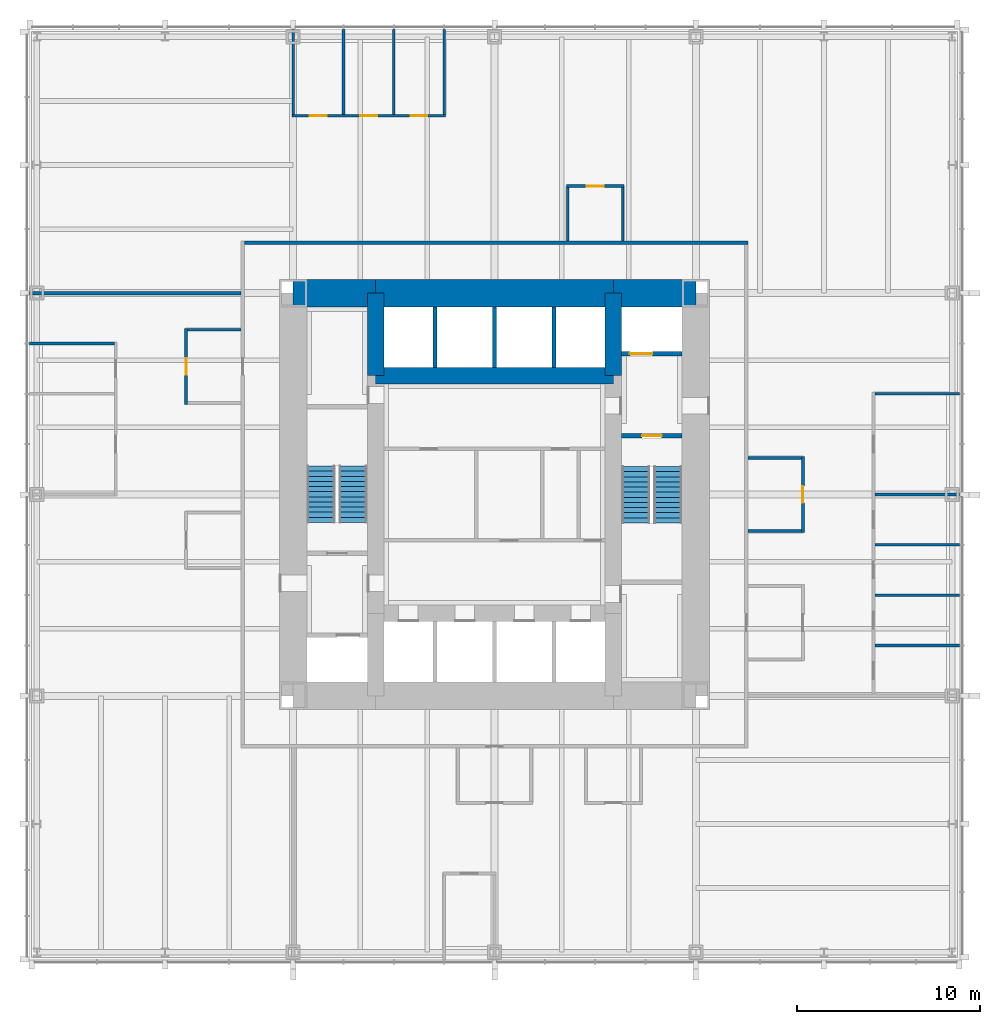
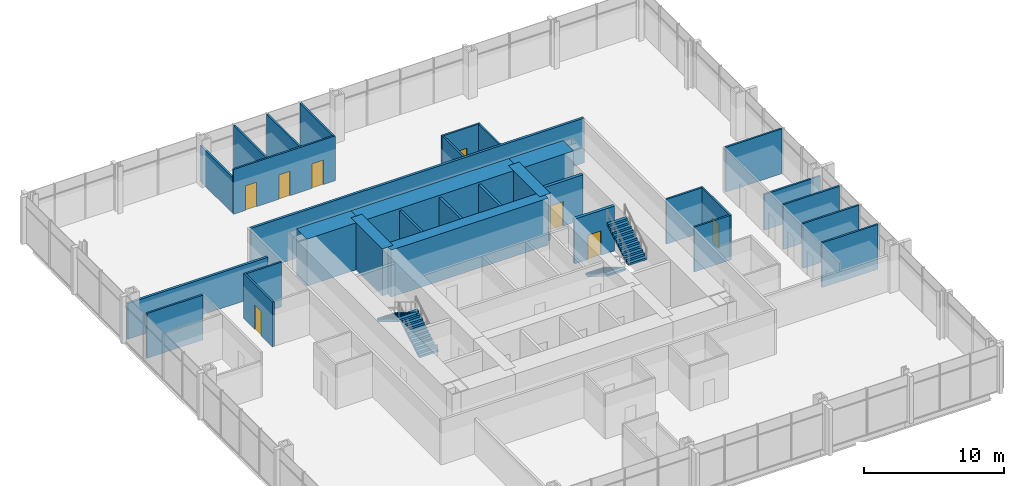
# One storey, part 11 of 12: 32 walls, 8 doors, 4 stair flights, 8 openings, 2 elements without a shape of their own.
"""IFC4 building model written with IfcOpenShell, lengths in metres."""

from ifc_helpers import new_model, si_unit, direction, frame, frame_2d, origin, place, context, subcontext, project, spatial, polyline, rectangle, outline, extrude, material, layer, layer_set, type_object, element, fill, aggregate, save


model = new_model("IFC4")

# Units and contexts
model_context = context("Model", 3, precision=1e-05, world=origin(), true_north=direction((0.0, 1.0)))
body_context = subcontext(model_context, "Body", "Model", "MODEL_VIEW")
ifc_project = project(units=[si_unit("LENGTHUNIT", "METRE"), si_unit("AREAUNIT", "SQUARE_METRE"), si_unit("VOLUMEUNIT", "CUBIC_METRE"), si_unit("PLANEANGLEUNIT", "RADIAN"), si_unit("MASSUNIT", "GRAM", prefix="KILO")], contexts=[model_context])

# Site, building, storey
site_placement = place(None, origin())
site = spatial("IfcSite", under=ifc_project, at=site_placement, CompositionType="ELEMENT")
building_placement = place(site_placement, origin())
building = spatial("IfcBuilding", under=site, at=building_placement, Name="Trevanion Tower", CompositionType="ELEMENT")
storey_placement = place(building_placement, frame((0.0, 0.0, 40.60009765625)))
storey = spatial("IfcBuildingStorey", under=building, at=storey_placement, Name="L09", CompositionType="ELEMENT", Elevation=40.60009765625)

# Walls
ifc_material_1 = material(Name="Concrete 10,000 psi", Category="concrete")
ifc_layer_1 = layer(ifc_material_1, 1.5)
ifc_layer_set_1 = layer_set([ifc_layer_1], Name="CW1 core wall 1500")
wall_type_1 = type_object("IfcWallType", Name="CW1 core wall 1500", PredefinedType="SHEAR", material=ifc_layer_set_1)
wall_1_placement = place(storey_placement, frame((11.0, 11.0, 0.0), z_axis=(0.0, 0.0, 1.0), x_axis=(-1.0, 0.0, 0.0)))
element("IfcWall", 1, at=wall_1_placement, inside=storey, type_object=wall_type_1, Name="CW1 CN1 L09", PredefinedType="SHEAR", context=body_context, shape_type="SweptSolid", body=[
    extrude(rectangle(XDim=4.5, YDim=1.5, at=frame_2d((2.25, 0.0))), origin(), (0.0, 0.0, 1.0), 4.099853515625),
])
wall_2_placement = place(storey_placement, frame((6.5, 11.0, 0.0), z_axis=(0.0, 0.0, 1.0), x_axis=(-1.0, 0.0, 0.0)))
element("IfcWall", 2, at=wall_2_placement, inside=storey, type_object=wall_type_1, Name="CW1 CN2 L09", PredefinedType="SHEAR", context=body_context, shape_type="SweptSolid", body=[
    extrude(rectangle(XDim=13.0, YDim=1.5, at=frame_2d((6.5, 0.0))), origin(), (0.0, 0.0, 1.0), 4.099853515625),
])
wall_3_placement = place(storey_placement, frame((-6.5, 11.0, 0.0), z_axis=(0.0, 0.0, 1.0), x_axis=(-1.0, 0.0, 0.0)))
element("IfcWall", 3, at=wall_3_placement, inside=storey, type_object=wall_type_1, Name="CW1 CN3 L09", PredefinedType="SHEAR", context=body_context, shape_type="SweptSolid", body=[
    extrude(rectangle(XDim=4.5, YDim=1.5, at=frame_2d((2.25, 0.0))), origin(), (0.0, 0.0, 1.0), 4.099853515625),
])
ifc_material_2 = material(Name="Concrete 10,000 psi", Category="concrete")
ifc_layer_2 = layer(ifc_material_2, 0.89990234375)
ifc_layer_set_2 = layer_set([ifc_layer_2], Name="CW2 core wall 900")
wall_type_2 = type_object("IfcWallType", Name="CW2 core wall 900", PredefinedType="SHEAR", material=ifc_layer_set_2)
for number, where, z_axis, x_axis, name in (
    (4, (6.5, 6.5, 0.0), (0.0, 0.0, 1.0), (0.0, 1.0, 0.0), "CW2 RE3 L09"),
    (5, (-6.5, 11.0, 0.0), (0.0, 0.0, 1.0), (0.0, -1.0, 0.0), "CW2 RW1 L09"),
):
    element("IfcWall", number, at=place(storey_placement, frame(where, z_axis=z_axis, x_axis=x_axis)), inside=storey, type_object=wall_type_2, Name=name, PredefinedType="SHEAR", context=body_context, shape_type="SweptSolid", body=[
        extrude(rectangle(XDim=4.5, YDim=0.89990234375, at=frame_2d((2.25, 0.0))), origin(), (0.0, 0.0, 1.0), 4.099853515625),
    ])
wall_4_placement = place(storey_placement, frame((6.5, 6.5, 0.0), z_axis=(0.0, 0.0, 1.0), x_axis=(-1.0, 0.0, 0.0)))
element("IfcWall", 6, at=wall_4_placement, inside=storey, type_object=wall_type_2, Name="CW2 RN L09", PredefinedType="SHEAR", context=body_context, shape_type="SweptSolid", body=[
    extrude(rectangle(XDim=13.0, YDim=0.89990234375, at=frame_2d((6.5, 0.0))), origin(), (0.0, 0.0, 1.0), 4.099853515625),
])
ifc_material_3 = material(Name="Gypsum board on steel studs", Category="steel")
ifc_layer_3 = layer(ifc_material_3, 0.14990234375)
ifc_layer_set_3 = layer_set([ifc_layer_3], Name="PT1 partition 150")
wall_type_3 = type_object("IfcWallType", Name="PT1 partition 150", PredefinedType="PARTITIONING", material=ifc_layer_set_3)
for number, where, z_axis, x_axis, name in (
    (7, (20.77490234375, -8.25, 0.0), (0.0, 0.0, 1.0), (1.0, 0.0, 0.0), "PT1 L09 FC0S1"),
    (8, (20.77490234375, -5.5, 0.0), (0.0, 0.0, 1.0), (1.0, 0.0, 0.0), "PT1 L09 FC0S2"),
    (9, (20.77490234375, -2.75, 0.0), (0.0, 0.0, 1.0), (1.0, 0.0, 0.0), "PT1 L09 FC0S3"),
):
    element("IfcWall", number, at=place(storey_placement, frame(where, z_axis=z_axis, x_axis=x_axis)), inside=storey, type_object=wall_type_3, Name=name, PredefinedType="PARTITIONING", context=body_context, shape_type="SweptSolid", body=[
        extrude(rectangle(XDim=4.64013671875, YDim=0.14990234375, at=frame_2d((2.320068359375, 0.0))), origin(), (0.0, 0.0, 1.0), 3.909912109375),
    ])
wall_5_placement = place(storey_placement, frame((20.77490234375, 0.0, 0.0), z_axis=(0.0, 0.0, 1.0), x_axis=(1.0, 0.0, 0.0)))
element("IfcWall", 10, at=wall_5_placement, inside=storey, type_object=wall_type_3, Name="PT1 L09 FC0S4", PredefinedType="PARTITIONING", context=body_context, shape_type="SweptSolid", body=[
    extrude(rectangle(XDim=4.64013671875, YDim=0.14990234375, at=frame_2d((2.320068359375, 0.0))), origin(), (0.0, 0.0, 1.0), 3.130126953125),
])
wall_6_placement = place(storey_placement, frame((20.77490234375, 5.5, 0.0), z_axis=(0.0, 0.0, 1.0), x_axis=(1.0, 0.0, 0.0)))
element("IfcWall", 11, at=wall_6_placement, inside=storey, type_object=wall_type_3, Name="PT1 L09 FC0S6", PredefinedType="PARTITIONING", context=body_context, shape_type="SweptSolid", body=[
    extrude(rectangle(XDim=4.64013671875, YDim=0.14990234375, at=frame_2d((2.320068359375, 0.0))), origin(), (0.0, 0.0, 1.0), 3.909912109375),
])

# Wall, openings, doors
wall_7_placement = place(storey_placement, frame((-2.675048828125, 20.699951171875, 0.0), z_axis=(0.0, 0.0, 1.0), x_axis=(-1.0, 0.0, 0.0)))
wall_7 = element("IfcWall", 12, at=wall_7_placement, inside=storey, type_object=wall_type_3, Name="PT1 L09 FC1F", PredefinedType="PARTITIONING", context=body_context, shape_type="SweptSolid", body=[
    extrude(rectangle(XDim=8.39990234375, YDim=0.14990234375, at=frame_2d((4.199951171875, 0.0))), origin(), (0.0, 0.0, 1.0), 3.909912109375),
])
opening_1_placement = place(wall_7_placement, frame((0.992431640625, 0.0, 0.0)))
opening_1 = element("IfcOpeningElement", 13, at=opening_1_placement, cuts=wall_7, Name="Opening 09-024", PredefinedType="OPENING", context=body_context, shape_type="SweptSolid", body=[
    extrude(rectangle(XDim=0.9150390625, YDim=2.134033203125, at=frame_2d((0.45751953125, 1.06689453125))), frame((0.0, 0.0849609375, 0.0), z_axis=(0.0, -1.0, 0.0), x_axis=(1.0, 0.0, 0.0)), (0.0, 0.0, 1.0), 0.169921875),
])
opening_2_placement = place(wall_7_placement, frame((3.742431640625, 0.0, 0.0)))
opening_2 = element("IfcOpeningElement", 14, at=opening_2_placement, cuts=wall_7, Name="Opening 09-025", PredefinedType="OPENING", context=body_context, shape_type="SweptSolid", body=[
    extrude(rectangle(XDim=0.9150390625, YDim=2.134033203125, at=frame_2d((0.45751953125, 1.06689453125))), frame((0.0, 0.0849609375, 0.0), z_axis=(0.0, -1.0, 0.0), x_axis=(1.0, 0.0, 0.0)), (0.0, 0.0, 1.0), 0.169921875),
])
opening_3_placement = place(wall_7_placement, frame((6.492431640625, 0.0, 0.0)))
opening_3 = element("IfcOpeningElement", 15, at=opening_3_placement, cuts=wall_7, Name="Opening 09-026", PredefinedType="OPENING", context=body_context, shape_type="SweptSolid", body=[
    extrude(rectangle(XDim=0.9150390625, YDim=2.134033203125, at=frame_2d((0.45751953125, 1.06689453125))), frame((0.0, 0.0849609375, 0.0), z_axis=(0.0, -1.0, 0.0), x_axis=(1.0, 0.0, 0.0)), (0.0, 0.0, 1.0), 0.169921875),
])
ifc_material_4 = material(Name="Timber veneer, solid core", Category="wood")
door_type_1 = type_object("IfcDoorType", Name="D1 office and meeting room door", OperationType="SINGLE_SWING_LEFT", PredefinedType="DOOR", material=ifc_material_4)
door_1_placement = place(opening_1_placement, origin())
door_1 = element("IfcDoor", 16, at=door_1_placement, inside=storey, type_object=door_type_1, Name="Door 09-024", OperationType="SINGLE_SWING_LEFT", OverallHeight=2.134033203125, OverallWidth=0.9150390625, PredefinedType="DOOR", context=body_context, shape_type="SweptSolid", body=[
    extrude(rectangle(XDim=0.9150390625, YDim=2.134033203125, at=frame_2d((0.45751953125, 1.06689453125))), frame((0.0, 0.02490234375, 0.0), z_axis=(0.0, -1.0, 0.0), x_axis=(1.0, 0.0, 0.0)), (0.0, 0.0, 1.0), 0.050048828125),
])
fill(opening_1, door_1)
door_2_placement = place(opening_2_placement, origin())
door_2 = element("IfcDoor", 17, at=door_2_placement, inside=storey, type_object=door_type_1, Name="Door 09-025", OperationType="SINGLE_SWING_LEFT", OverallHeight=2.134033203125, OverallWidth=0.9150390625, PredefinedType="DOOR", context=body_context, shape_type="SweptSolid", body=[
    extrude(rectangle(XDim=0.9150390625, YDim=2.134033203125, at=frame_2d((0.45751953125, 1.06689453125))), frame((0.0, 0.02490234375, 0.0), z_axis=(0.0, -1.0, 0.0), x_axis=(1.0, 0.0, 0.0)), (0.0, 0.0, 1.0), 0.050048828125),
])
fill(opening_2, door_2)
door_3_placement = place(opening_3_placement, origin())
door_3 = element("IfcDoor", 18, at=door_3_placement, inside=storey, type_object=door_type_1, Name="Door 09-026", OperationType="SINGLE_SWING_LEFT", OverallHeight=2.134033203125, OverallWidth=0.9150390625, PredefinedType="DOOR", context=body_context, shape_type="SweptSolid", body=[
    extrude(rectangle(XDim=0.9150390625, YDim=2.134033203125, at=frame_2d((0.45751953125, 1.06689453125))), frame((0.0, 0.02490234375, 0.0), z_axis=(0.0, -1.0, 0.0), x_axis=(1.0, 0.0, 0.0)), (0.0, 0.0, 1.0), 0.050048828125),
])
fill(opening_3, door_3)

# Walls
for number, where, z_axis, x_axis, name in (
    (19, (-2.75, 20.77490234375, 0.0), (0.0, 0.0, 1.0), (0.0, 1.0, 0.0), "PT1 L09 FC1S0"),
    (20, (-5.5, 20.77490234375, 0.0), (0.0, 0.0, 1.0), (0.0, 1.0, 0.0), "PT1 L09 FC1S1"),
    (21, (-8.25, 20.77490234375, 0.0), (0.0, 0.0, 1.0), (0.0, 1.0, 0.0), "PT1 L09 FC1S2"),
):
    element("IfcWall", number, at=place(storey_placement, frame(where, z_axis=z_axis, x_axis=x_axis)), inside=storey, type_object=wall_type_3, Name=name, PredefinedType="PARTITIONING", context=body_context, shape_type="SweptSolid", body=[
        extrude(rectangle(XDim=4.64013671875, YDim=0.14990234375, at=frame_2d((2.320068359375, 0.0))), origin(), (0.0, 0.0, 1.0), 3.909912109375),
    ])
wall_8_placement = place(storey_placement, frame((-11.0, 20.77490234375, 0.0), z_axis=(0.0, 0.0, 1.0), x_axis=(0.0, 1.0, 0.0)))
element("IfcWall", 22, at=wall_8_placement, inside=storey, type_object=wall_type_3, Name="PT1 L09 FC1S3", PredefinedType="PARTITIONING", context=body_context, shape_type="SweptSolid", body=[
    extrude(rectangle(XDim=4.64013671875, YDim=0.14990234375, at=frame_2d((2.320068359375, 0.0))), origin(), (0.0, 0.0, 1.0), 3.130126953125),
])
wall_9_placement = place(storey_placement, frame((-20.77490234375, 8.25, 0.0), z_axis=(0.0, 0.0, 1.0), x_axis=(-1.0, 0.0, 0.0)))
element("IfcWall", 23, at=wall_9_placement, inside=storey, type_object=wall_type_3, Name="PT1 L09 FC2S0", PredefinedType="PARTITIONING", context=body_context, shape_type="SweptSolid", body=[
    extrude(rectangle(XDim=4.64013671875, YDim=0.14990234375, at=frame_2d((2.320068359375, 0.0))), origin(), (0.0, 0.0, 1.0), 3.909912109375),
])

# Wall, opening, door
wall_10_placement = place(storey_placement, frame((16.85009765625, -2.074951171875, 0.0), z_axis=(0.0, 0.0, 1.0), x_axis=(0.0, 1.0, 0.0)))
wall_10 = element("IfcWall", 24, at=wall_10_placement, inside=storey, type_object=wall_type_3, Name="PT1 L09 IN01F", PredefinedType="PARTITIONING", context=body_context, shape_type="SweptSolid", body=[
    extrude(rectangle(XDim=4.14990234375, YDim=0.14990234375, at=frame_2d((2.074951171875, 0.0))), origin(), (0.0, 0.0, 1.0), 3.909912109375),
])
opening_4_placement = place(wall_10_placement, frame((1.617431640625, 0.0, 0.0)))
opening_4 = element("IfcOpeningElement", 25, at=opening_4_placement, cuts=wall_10, Name="Opening 09-032", PredefinedType="OPENING", context=body_context, shape_type="SweptSolid", body=[
    extrude(rectangle(XDim=0.9150390625, YDim=2.134033203125, at=frame_2d((0.45751953125, 1.06689453125))), frame((0.0, 0.0849609375, 0.0), z_axis=(0.0, -1.0, 0.0), x_axis=(1.0, 0.0, 0.0)), (0.0, 0.0, 1.0), 0.169921875),
])
door_4_placement = place(opening_4_placement, origin())
door_4 = element("IfcDoor", 26, at=door_4_placement, inside=storey, type_object=door_type_1, Name="Door 09-032", OperationType="SINGLE_SWING_LEFT", OverallHeight=2.134033203125, OverallWidth=0.9150390625, PredefinedType="DOOR", context=body_context, shape_type="SweptSolid", body=[
    extrude(rectangle(XDim=0.9150390625, YDim=2.134033203125, at=frame_2d((0.45751953125, 1.06689453125))), frame((0.0, 0.02490234375, 0.0), z_axis=(0.0, -1.0, 0.0), x_axis=(1.0, 0.0, 0.0)), (0.0, 0.0, 1.0), 0.050048828125),
])
fill(opening_4, door_4)

# Walls
for number, where, z_axis, x_axis, name in (
    (27, (16.77490234375, -2.0, 0.0), (0.0, 0.0, 1.0), (-1.0, 0.0, 0.0), "PT1 L09 IN01S0"),
    (28, (16.77490234375, 2.0, 0.0), (0.0, 0.0, 1.0), (-1.0, 0.0, 0.0), "PT1 L09 IN01S1"),
):
    element("IfcWall", number, at=place(storey_placement, frame(where, z_axis=z_axis, x_axis=x_axis)), inside=storey, type_object=wall_type_3, Name=name, PredefinedType="PARTITIONING", context=body_context, shape_type="SweptSolid", body=[
        extrude(rectangle(XDim=2.9248046875, YDim=0.14990234375, at=frame_2d((1.46240234375, 0.0))), origin(), (0.0, 0.0, 1.0), 3.909912109375),
    ])

# Wall, opening, door
wall_11_placement = place(storey_placement, frame((-16.85009765625, 9.074951171875, 0.0), z_axis=(0.0, 0.0, 1.0), x_axis=(0.0, -1.0, 0.0)))
wall_11 = element("IfcWall", 29, at=wall_11_placement, inside=storey, type_object=wall_type_3, Name="PT1 L09 IN20F", PredefinedType="PARTITIONING", context=body_context, shape_type="SweptSolid", body=[
    extrude(rectangle(XDim=4.14990234375, YDim=0.14990234375, at=frame_2d((2.074951171875, 0.0))), origin(), (0.0, 0.0, 1.0), 3.909912109375),
])
opening_5_placement = place(wall_11_placement, frame((1.617431640625, 0.0, 0.0)))
opening_5 = element("IfcOpeningElement", 30, at=opening_5_placement, cuts=wall_11, Name="Opening 09-033", PredefinedType="OPENING", context=body_context, shape_type="SweptSolid", body=[
    extrude(rectangle(XDim=0.9150390625, YDim=2.134033203125, at=frame_2d((0.45751953125, 1.06689453125))), frame((0.0, 0.0849609375, 0.0), z_axis=(0.0, -1.0, 0.0), x_axis=(1.0, 0.0, 0.0)), (0.0, 0.0, 1.0), 0.169921875),
])
door_5_placement = place(opening_5_placement, origin())
door_5 = element("IfcDoor", 31, at=door_5_placement, inside=storey, type_object=door_type_1, Name="Door 09-033", OperationType="SINGLE_SWING_LEFT", OverallHeight=2.134033203125, OverallWidth=0.9150390625, PredefinedType="DOOR", context=body_context, shape_type="SweptSolid", body=[
    extrude(rectangle(XDim=0.9150390625, YDim=2.134033203125, at=frame_2d((0.45751953125, 1.06689453125))), frame((0.0, 0.02490234375, 0.0), z_axis=(0.0, -1.0, 0.0), x_axis=(1.0, 0.0, 0.0)), (0.0, 0.0, 1.0), 0.050048828125),
])
fill(opening_5, door_5)

# Wall
wall_12_placement = place(storey_placement, frame((-16.77490234375, 9.0, 0.0), z_axis=(0.0, 0.0, 1.0), x_axis=(1.0, 0.0, 0.0)))
element("IfcWall", 32, at=wall_12_placement, inside=storey, type_object=wall_type_3, Name="PT1 L09 IN20S0", PredefinedType="PARTITIONING", context=body_context, shape_type="SweptSolid", body=[
    extrude(rectangle(XDim=2.9248046875, YDim=0.14990234375, at=frame_2d((1.46240234375, 0.0))), origin(), (0.0, 0.0, 1.0), 3.909912109375),
])

# Wall, opening, door
wall_13_placement = place(storey_placement, frame((7.074951171875, 16.85009765625, 0.0), z_axis=(0.0, 0.0, 1.0), x_axis=(-1.0, 0.0, 0.0)))
wall_13 = element("IfcWall", 33, at=wall_13_placement, inside=storey, type_object=wall_type_3, Name="PT1 L09 IN10F", PredefinedType="PARTITIONING", context=body_context, shape_type="SweptSolid", body=[
    extrude(rectangle(XDim=3.14990234375, YDim=0.14990234375, at=frame_2d((1.574951171875, 0.0))), origin(), (0.0, 0.0, 1.0), 3.909912109375),
])
opening_6_placement = place(wall_13_placement, frame((1.117431640625, 0.0, 0.0)))
opening_6 = element("IfcOpeningElement", 34, at=opening_6_placement, cuts=wall_13, Name="Opening 09-039", PredefinedType="OPENING", context=body_context, shape_type="SweptSolid", body=[
    extrude(rectangle(XDim=0.9150390625, YDim=2.134033203125, at=frame_2d((0.45751953125, 1.06689453125))), frame((0.0, 0.0849609375, 0.0), z_axis=(0.0, -1.0, 0.0), x_axis=(1.0, 0.0, 0.0)), (0.0, 0.0, 1.0), 0.169921875),
])
door_6_placement = place(opening_6_placement, origin())
door_6 = element("IfcDoor", 35, at=door_6_placement, inside=storey, type_object=door_type_1, Name="Door 09-039", OperationType="SINGLE_SWING_LEFT", OverallHeight=2.134033203125, OverallWidth=0.9150390625, PredefinedType="DOOR", context=body_context, shape_type="SweptSolid", body=[
    extrude(rectangle(XDim=0.9150390625, YDim=2.134033203125, at=frame_2d((0.45751953125, 1.06689453125))), frame((0.0, 0.02490234375, 0.0), z_axis=(0.0, -1.0, 0.0), x_axis=(1.0, 0.0, 0.0)), (0.0, 0.0, 1.0), 0.050048828125),
])
fill(opening_6, door_6)

# Walls
for number, where, z_axis, x_axis, name in (
    (36, (7.0, 16.77490234375, 0.0), (0.0, 0.0, 1.0), (0.0, -1.0, 0.0), "PT1 L09 IN10S0"),
    (37, (4.0, 16.77490234375, 0.0), (0.0, 0.0, 1.0), (0.0, -1.0, 0.0), "PT1 L09 IN10S1"),
):
    element("IfcWall", number, at=place(storey_placement, frame(where, z_axis=z_axis, x_axis=x_axis)), inside=storey, type_object=wall_type_3, Name=name, PredefinedType="PARTITIONING", context=body_context, shape_type="SweptSolid", body=[
        extrude(rectangle(XDim=2.9248046875, YDim=0.14990234375, at=frame_2d((1.46240234375, 0.0))), origin(), (0.0, 0.0, 1.0), 3.909912109375),
    ])
ifc_material_5 = material(Name="Concrete masonry, grouted", Category="masonry")
ifc_layer_4 = layer(ifc_material_5, 0.199951171875)
ifc_layer_set_4 = layer_set([ifc_layer_4], Name="PT2 partition 200 1 HR")
wall_type_4 = type_object("IfcWallType", Name="PT2 partition 200 1 HR", PredefinedType="PARTITIONING", material=ifc_layer_set_4)
wall_14_placement = place(storey_placement, frame((13.85009765625, 13.75, 0.0), z_axis=(0.0, 0.0, 1.0), x_axis=(-1.0, 0.0, 0.0)))
element("IfcWall", 38, at=wall_14_placement, inside=storey, type_object=wall_type_4, Name="PT2 L09 OC1", PredefinedType="PARTITIONING", context=body_context, shape_type="SweptSolid", body=[
    extrude(rectangle(XDim=27.5, YDim=0.199951171875, at=frame_2d((13.75, 0.0))), origin(), (0.0, 0.0, 1.0), 3.909912109375),
])
wall_15_placement = place(storey_placement, frame((-13.85009765625, 11.0, 0.0), z_axis=(0.0, 0.0, 1.0), x_axis=(-1.0, 0.0, 0.0)))
element("IfcWall", 39, at=wall_15_placement, inside=storey, type_object=wall_type_4, Name="PT2 L09 DM1", PredefinedType="PARTITIONING", context=body_context, shape_type="SweptSolid", body=[
    extrude(rectangle(XDim=11.56494140625, YDim=0.199951171875, at=frame_2d((5.782470703125, 0.0))), origin(), (0.0, 0.0, 1.0), 3.130126953125),
])
ifc_material_6 = material(Name="Concrete masonry, grouted", Category="masonry")
ifc_layer_5 = layer(ifc_material_6, 0.199951171875)
ifc_layer_set_5 = layer_set([ifc_layer_5], Name="PT2 partition 200 2 HR")
wall_type_5 = type_object("IfcWallType", Name="PT2 partition 200 2 HR", PredefinedType="PARTITIONING", material=ifc_layer_set_5)
for number, where, z_axis, x_axis, name in (
    (40, (-3.25, 6.949951171875, 0.0), (0.0, 0.0, 1.0), (0.0, 1.0, 0.0), "PT2 L09 NS0"),
    (41, (0.0, 6.949951171875, 0.0), (0.0, 0.0, 1.0), (0.0, 1.0, 0.0), "PT2 L09 NS1"),
    (42, (3.25, 6.949951171875, 0.0), (0.0, 0.0, 1.0), (0.0, 1.0, 0.0), "PT2 L09 NS2"),
):
    element("IfcWall", number, at=place(storey_placement, frame(where, z_axis=z_axis, x_axis=x_axis)), inside=storey, type_object=wall_type_5, Name=name, PredefinedType="PARTITIONING", context=body_context, shape_type="SweptSolid", body=[
        extrude(rectangle(XDim=3.300048828125, YDim=0.199951171875, at=frame_2d((1.64990234375, 0.0))), origin(), (0.0, 0.0, 1.0), 3.909912109375),
    ])

# Wall, opening, door
ifc_material_7 = material(Name="Concrete masonry, grouted, two-hour", Category="masonry")
ifc_layer_6 = layer(ifc_material_7, 0.25)
ifc_layer_set_6 = layer_set([ifc_layer_6], Name="PT3 partition 250 2 HR")
wall_type_6 = type_object("IfcWallType", Name="PT3 partition 250 2 HR", PredefinedType="PARTITIONING", material=ifc_layer_set_6)
wall_16_placement = place(storey_placement, frame((6.949951171875, 7.699951171875, 0.0), z_axis=(0.0, 0.0, 1.0), x_axis=(1.0, 0.0, 0.0)))
wall_16 = element("IfcWall", 43, at=wall_16_placement, inside=storey, type_object=wall_type_6, Name="PT3 L09 EP3", PredefinedType="PARTITIONING", context=body_context, shape_type="SweptSolid", body=[
    extrude(rectangle(XDim=3.300048828125, YDim=0.25, at=frame_2d((1.64990234375, 0.0))), origin(), (0.0, 0.0, 1.0), 3.909912109375),
])
opening_7_placement = place(wall_16_placement, frame((0.449951171875, 0.0, 0.0)))
opening_7 = element("IfcOpeningElement", 44, at=opening_7_placement, cuts=wall_16, Name="Opening 09-007", PredefinedType="OPENING", context=body_context, shape_type="SweptSolid", body=[
    extrude(rectangle(XDim=1.218994140625, YDim=2.134033203125, at=frame_2d((0.609375, 1.06689453125))), frame((0.0, 0.135009765625, 0.0), z_axis=(0.0, -1.0, 0.0), x_axis=(1.0, 0.0, 0.0)), (0.0, 0.0, 1.0), 0.27001953125),
])
ifc_material_8 = material(Name="Stainless steel, fire rated", Category="steel")
door_type_2 = type_object("IfcDoorType", Name="LD2 fire service lift landing door", OperationType="SLIDING_TO_LEFT", PredefinedType="DOOR", material=ifc_material_8)
door_7_placement = place(opening_7_placement, origin())
door_7 = element("IfcDoor", 45, at=door_7_placement, inside=storey, type_object=door_type_2, Name="Door 09-007", OperationType="SLIDING_TO_LEFT", OverallHeight=2.134033203125, OverallWidth=1.218994140625, PredefinedType="DOOR", context=body_context, shape_type="SweptSolid", body=[
    extrude(rectangle(XDim=1.218994140625, YDim=2.134033203125, at=frame_2d((0.609375, 1.06689453125))), frame((0.0, 0.02490234375, 0.0), z_axis=(0.0, -1.0, 0.0), x_axis=(1.0, 0.0, 0.0)), (0.0, 0.0, 1.0), 0.050048828125),
])
fill(opening_7, door_7)

ifc_material_9 = material(Name="Reinforced masonry, fully grouted", Category="masonry")
ifc_layer_7 = layer(ifc_material_9, 0.25)
ifc_layer_set_7 = layer_set([ifc_layer_7], Name="SW1 stair shaft wall 250")
wall_type_7 = type_object("IfcWallType", Name="SW1 stair shaft wall 250", PredefinedType="SOLIDWALL", material=ifc_layer_set_7)
wall_17_placement = place(storey_placement, frame((6.949951171875, 3.199951171875, 0.0), z_axis=(0.0, 0.0, 1.0), x_axis=(1.0, 0.0, 0.0)))
wall_17 = element("IfcWall", 46, at=wall_17_placement, inside=storey, type_object=wall_type_7, Name="SW1 L09 EP2", PredefinedType="SOLIDWALL", context=body_context, shape_type="SweptSolid", body=[
    extrude(rectangle(XDim=3.300048828125, YDim=0.25, at=frame_2d((1.64990234375, 0.0))), origin(), (0.0, 0.0, 1.0), 3.909912109375),
])
opening_8_placement = place(wall_17_placement, frame((1.116455078125, 0.0, 0.0)))
opening_8 = element("IfcOpeningElement", 47, at=opening_8_placement, cuts=wall_17, Name="Opening 09-005", PredefinedType="OPENING", context=body_context, shape_type="SweptSolid", body=[
    extrude(rectangle(XDim=1.06689453125, YDim=2.134033203125, at=frame_2d((0.533447265625, 1.06689453125))), frame((0.0, 0.135009765625, 0.0), z_axis=(0.0, -1.0, 0.0), x_axis=(1.0, 0.0, 0.0)), (0.0, 0.0, 1.0), 0.27001953125),
])
ifc_material_10 = material(Name="Hollow metal, fire rated", Category="steel")
door_type_3 = type_object("IfcDoorType", Name="D2 exit stair door", OperationType="SINGLE_SWING_LEFT", PredefinedType="DOOR", material=ifc_material_10)
door_8_placement = place(opening_8_placement, origin())
door_8 = element("IfcDoor", 48, at=door_8_placement, inside=storey, type_object=door_type_3, Name="Door 09-005", OperationType="SINGLE_SWING_LEFT", OverallHeight=2.134033203125, OverallWidth=1.06689453125, PredefinedType="DOOR", context=body_context, shape_type="SweptSolid", body=[
    extrude(rectangle(XDim=1.06689453125, YDim=2.134033203125, at=frame_2d((0.533447265625, 1.06689453125))), frame((0.0, 0.02490234375, 0.0), z_axis=(0.0, -1.0, 0.0), x_axis=(1.0, 0.0, 0.0)), (0.0, 0.0, 1.0), 0.050048828125),
])
fill(opening_8, door_8)

# Stair, stair flights
ifc_material_11 = material(Name="Concrete 5,000 psi on steel stringers", Category="concrete")
stair_type = type_object("IfcStairType", Name="ST stair", PredefinedType="HALF_TURN_STAIR", material=ifc_material_11)
stair_1_placement = place(storey_placement, origin())
stair_1 = element("IfcStair", 49, at=stair_1_placement, inside=storey, type_object=stair_type, Name="ST1 L09", PredefinedType="HALF_TURN_STAIR")
ifc_material_12 = material(Name="Concrete 5,000 psi in steel pan", Category="concrete")
stair_flight_type = type_object("IfcStairFlightType", Name="STF stair flight", PredefinedType="STRAIGHT", material=ifc_material_12)
stair_flight_1_placement = place(storey_placement, frame((7.72509765625, 1.52490234375, 0.0), z_axis=(0.0, 0.0, 1.0), x_axis=(0.0, -1.0, 0.0)))
stair_flight_1 = element("IfcStairFlight", 50, at=stair_flight_1_placement, type_object=stair_flight_type, Name="ST1 flight 1", NumberOfRisers=12, NumberOfTreads=11, PredefinedType="STRAIGHT", RiserHeight=0.170833333, TreadLength=0.28, context=body_context, shape_type="SweptSolid", body=[
    extrude(outline(polyline([(0.0, 0.0), (0.0, 0.1708984375), (0.280029296875, 0.1708984375), (0.280029296875, 0.341552734375), (0.56005859375, 0.341552734375), (0.56005859375, 0.512451171875), (0.840087890625, 0.512451171875), (0.840087890625, 0.683349609375), (1.1201171875, 0.683349609375), (1.1201171875, 0.854248046875), (1.39990234375, 0.854248046875), (1.39990234375, 1.02490234375), (1.679931640625, 1.02490234375), (1.679931640625, 1.19580078125), (1.9599609375, 1.19580078125), (1.9599609375, 1.36669921875), (2.239990234375, 1.36669921875), (2.239990234375, 1.53759765625), (2.52001953125, 1.53759765625), (2.52001953125, 1.708251953125), (2.800048828125, 1.708251953125), (2.800048828125, 1.879150390625), (3.080078125, 1.879150390625), (3.080078125, 2.050048828125), (3.080078125, 1.70361328125), (0.287841796875, 0.0), (0.0, 0.0)])), frame((0.0, 0.77490234375, 0.0), z_axis=(0.0, -1.0, 0.0), x_axis=(1.0, 0.0, 0.0)), (0.0, 0.0, 1.0), 1.550048828125),
])
stair_flight_2_placement = place(storey_placement, frame((9.47509765625, -1.554931640625, 2.0498046875), z_axis=(0.0, 0.0, 1.0), x_axis=(0.0, 1.0, 0.0)))
stair_flight_2 = element("IfcStairFlight", 51, at=stair_flight_2_placement, type_object=stair_flight_type, Name="ST1 flight 2", NumberOfRisers=12, NumberOfTreads=11, PredefinedType="STRAIGHT", RiserHeight=0.170833333, TreadLength=0.28, context=body_context, shape_type="SweptSolid", body=[
    extrude(outline(polyline([(0.0, 0.0), (0.0, 0.1708984375), (0.280029296875, 0.1708984375), (0.280029296875, 0.341552734375), (0.56005859375, 0.341552734375), (0.56005859375, 0.512451171875), (0.840087890625, 0.512451171875), (0.840087890625, 0.683349609375), (1.1201171875, 0.683349609375), (1.1201171875, 0.854248046875), (1.39990234375, 0.854248046875), (1.39990234375, 1.02490234375), (1.679931640625, 1.02490234375), (1.679931640625, 1.19580078125), (1.9599609375, 1.19580078125), (1.9599609375, 1.36669921875), (2.239990234375, 1.36669921875), (2.239990234375, 1.53759765625), (2.52001953125, 1.53759765625), (2.52001953125, 1.708251953125), (2.800048828125, 1.708251953125), (2.800048828125, 1.879150390625), (3.080078125, 1.879150390625), (3.080078125, 2.050048828125), (3.080078125, 1.70361328125), (0.287841796875, 0.0), (0.0, 0.0)])), frame((0.0, 0.77490234375, 0.0), z_axis=(0.0, -1.0, 0.0), x_axis=(1.0, 0.0, 0.0)), (0.0, 0.0, 1.0), 1.550048828125),
])
aggregate(stair_1, [stair_flight_1, stair_flight_2])

stair_2_placement = place(storey_placement, origin())
stair_2 = element("IfcStair", 52, at=stair_2_placement, inside=storey, type_object=stair_type, Name="ST2 L09", PredefinedType="HALF_TURN_STAIR")
stair_flight_3_placement = place(storey_placement, frame((-7.72509765625, -1.52490234375, 0.0), z_axis=(0.0, 0.0, 1.0), x_axis=(0.0, 1.0, 0.0)))
stair_flight_3 = element("IfcStairFlight", 53, at=stair_flight_3_placement, type_object=stair_flight_type, Name="ST2 flight 1", NumberOfRisers=12, NumberOfTreads=11, PredefinedType="STRAIGHT", RiserHeight=0.170833333, TreadLength=0.28, context=body_context, shape_type="SweptSolid", body=[
    extrude(outline(polyline([(0.0, 0.0), (0.0, 0.1708984375), (0.280029296875, 0.1708984375), (0.280029296875, 0.341552734375), (0.56005859375, 0.341552734375), (0.56005859375, 0.512451171875), (0.840087890625, 0.512451171875), (0.840087890625, 0.683349609375), (1.1201171875, 0.683349609375), (1.1201171875, 0.854248046875), (1.39990234375, 0.854248046875), (1.39990234375, 1.02490234375), (1.679931640625, 1.02490234375), (1.679931640625, 1.19580078125), (1.9599609375, 1.19580078125), (1.9599609375, 1.36669921875), (2.239990234375, 1.36669921875), (2.239990234375, 1.53759765625), (2.52001953125, 1.53759765625), (2.52001953125, 1.708251953125), (2.800048828125, 1.708251953125), (2.800048828125, 1.879150390625), (3.080078125, 1.879150390625), (3.080078125, 2.050048828125), (3.080078125, 1.70361328125), (0.287841796875, 0.0), (0.0, 0.0)])), frame((0.0, 0.77490234375, 0.0), z_axis=(0.0, -1.0, 0.0), x_axis=(1.0, 0.0, 0.0)), (0.0, 0.0, 1.0), 1.550048828125),
])
stair_flight_4_placement = place(storey_placement, frame((-9.47509765625, 1.554931640625, 2.0498046875), z_axis=(0.0, 0.0, 1.0), x_axis=(0.0, -1.0, 0.0)))
stair_flight_4 = element("IfcStairFlight", 54, at=stair_flight_4_placement, type_object=stair_flight_type, Name="ST2 flight 2", NumberOfRisers=12, NumberOfTreads=11, PredefinedType="STRAIGHT", RiserHeight=0.170833333, TreadLength=0.28, context=body_context, shape_type="SweptSolid", body=[
    extrude(outline(polyline([(0.0, 0.0), (0.0, 0.1708984375), (0.280029296875, 0.1708984375), (0.280029296875, 0.341552734375), (0.56005859375, 0.341552734375), (0.56005859375, 0.512451171875), (0.840087890625, 0.512451171875), (0.840087890625, 0.683349609375), (1.1201171875, 0.683349609375), (1.1201171875, 0.854248046875), (1.39990234375, 0.854248046875), (1.39990234375, 1.02490234375), (1.679931640625, 1.02490234375), (1.679931640625, 1.19580078125), (1.9599609375, 1.19580078125), (1.9599609375, 1.36669921875), (2.239990234375, 1.36669921875), (2.239990234375, 1.53759765625), (2.52001953125, 1.53759765625), (2.52001953125, 1.708251953125), (2.800048828125, 1.708251953125), (2.800048828125, 1.879150390625), (3.080078125, 1.879150390625), (3.080078125, 2.050048828125), (3.080078125, 1.70361328125), (0.287841796875, 0.0), (0.0, 0.0)])), frame((0.0, 0.77490234375, 0.0), z_axis=(0.0, -1.0, 0.0), x_axis=(1.0, 0.0, 0.0)), (0.0, 0.0, 1.0), 1.550048828125),
])
aggregate(stair_2, [stair_flight_3, stair_flight_4])

save(model, "model.ifc")
